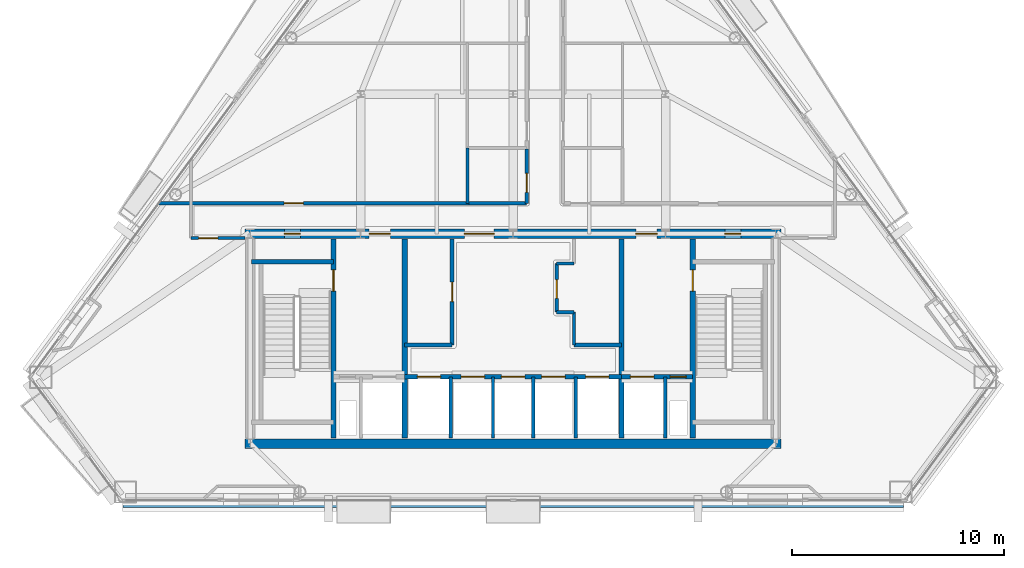
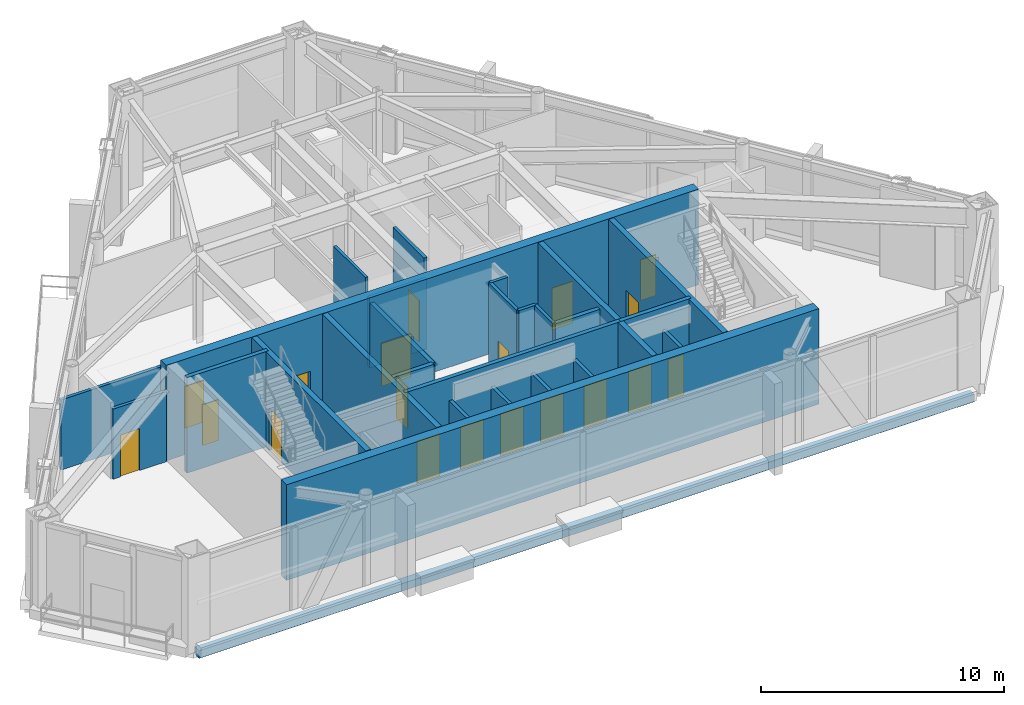
# One storey, part 6 of 10: 27 walls, 19 doors, 19 openings.
"""IFC4 building model written with IfcOpenShell, lengths in metres."""

from ifc_helpers import new_model, si_unit, direction, frame, frame_2d, origin, place, context, subcontext, project, spatial, rectangle, extrude, material, layer, layer_set, type_object, element, fill, save


model = new_model("IFC4")

# Units and contexts
model_context = context("Model", 3, precision=1e-05, world=origin(), true_north=direction((0.0, 1.0)))
body_context = subcontext(model_context, "Body", "Model", "MODEL_VIEW")
ifc_project = project(units=[si_unit("LENGTHUNIT", "METRE"), si_unit("AREAUNIT", "SQUARE_METRE"), si_unit("VOLUMEUNIT", "CUBIC_METRE"), si_unit("PLANEANGLEUNIT", "RADIAN"), si_unit("MASSUNIT", "GRAM", prefix="KILO")], contexts=[model_context])

# Site, building, storey
site_placement = place(None, origin())
site = spatial("IfcSite", under=ifc_project, at=site_placement, CompositionType="ELEMENT")
building_placement = place(site_placement, origin())
building = spatial("IfcBuilding", under=site, at=building_placement, Name="Talgorran Terracotta Tower", CompositionType="ELEMENT")
storey_placement = place(building_placement, frame((0.0, 0.0, 173.699951171875)))
storey = spatial("IfcBuildingStorey", under=building, at=storey_placement, Name="L45", CompositionType="ELEMENT", Elevation=173.699951171875)

# Wall
ifc_material_1 = material(Name="Concrete C50/60", Category="concrete")
ifc_layer_1 = layer(ifc_material_1, 0.199951171875, Name="WT_CORE_200")
ifc_layer_set_1 = layer_set([ifc_layer_1], Name="Concrete C50/60")
wall_type_1 = type_object("IfcWallType", Name="WT_CORE_200", PredefinedType="SOLIDWALL", material=ifc_layer_set_1)
wall_1_placement = place(storey_placement, frame((-12.35009765625, -5.52001953125, 0.0), z_axis=(0.0, 0.0, 1.0), x_axis=(1.0, 0.0, 0.0)))
element("IfcWall", 1, at=wall_1_placement, inside=storey, type_object=wall_type_1, Name="WL-L45-CW-ST1-N", PredefinedType="SOLIDWALL", context=body_context, shape_type="SweptSolid", body=[
    extrude(rectangle(XDim=3.8701171875, YDim=0.199951171875, at=frame_2d((1.93505859375, 0.0))), origin(), (0.0, 0.0, 1.0), 4.800048828125),
])

# Wall, openings, doors
wall_2_placement = place(storey_placement, frame((-5.1201171875, -10.949951171875, 0.0), z_axis=(0.0, 0.0, 1.0), x_axis=(1.0, 0.0, 0.0)))
wall_2 = element("IfcWall", 2, at=wall_2_placement, inside=storey, type_object=wall_type_1, Name="WL-L45-CW-H-SBC", PredefinedType="SOLIDWALL", context=body_context, shape_type="SweptSolid", body=[
    extrude(rectangle(XDim=10.240234375, YDim=0.199951171875, at=frame_2d((5.1201171875, 0.0))), origin(), (0.0, 0.0, 1.0), 4.800048828125),
])
opening_1_placement = place(wall_2_placement, frame((0.60009765625, 0.0, 0.0)))
opening_1 = element("IfcOpeningElement", 3, at=opening_1_placement, cuts=wall_2, Name="Opening LD-OB1", PredefinedType="OPENING", context=body_context, shape_type="SweptSolid", body=[
    extrude(rectangle(XDim=1.10609765625, YDim=2.10409765625, at=frame_2d((0.550048828125, 1.052001953125))), frame((0.0, 0.10986328125, 0.0), z_axis=(0.0, -1.0, 0.0), x_axis=(1.0, 0.0, 0.0)), (0.0, 0.0, 1.0), 0.219970703125),
])
opening_2_placement = place(wall_2_placement, frame((2.669921875, 0.0, 0.0)))
opening_2 = element("IfcOpeningElement", 4, at=opening_2_placement, cuts=wall_2, Name="Opening LD-PLH1", PredefinedType="OPENING", context=body_context, shape_type="SweptSolid", body=[
    extrude(rectangle(XDim=1.10609765625, YDim=2.10409765625, at=frame_2d((0.550048828125, 1.052001953125))), frame((0.0, 0.10986328125, 0.0), z_axis=(0.0, -1.0, 0.0), x_axis=(1.0, 0.0, 0.0)), (0.0, 0.0, 1.0), 0.219970703125),
])
opening_3_placement = place(wall_2_placement, frame((4.570068359375, 0.0, 0.0)))
opening_3 = element("IfcOpeningElement", 5, at=opening_3_placement, cuts=wall_2, Name="Opening LD-PLH2", PredefinedType="OPENING", context=body_context, shape_type="SweptSolid", body=[
    extrude(rectangle(XDim=1.10609765625, YDim=2.10409765625, at=frame_2d((0.550048828125, 1.052001953125))), frame((0.0, 0.10986328125, 0.0), z_axis=(0.0, -1.0, 0.0), x_axis=(1.0, 0.0, 0.0)), (0.0, 0.0, 1.0), 0.219970703125),
])
opening_4_placement = place(wall_2_placement, frame((6.469970703125, 0.0, 0.0)))
opening_4 = element("IfcOpeningElement", 6, at=opening_4_placement, cuts=wall_2, Name="Opening LD-PLH3", PredefinedType="OPENING", context=body_context, shape_type="SweptSolid", body=[
    extrude(rectangle(XDim=1.10609765625, YDim=2.10409765625, at=frame_2d((0.550048828125, 1.052001953125))), frame((0.0, 0.10986328125, 0.0), z_axis=(0.0, -1.0, 0.0), x_axis=(1.0, 0.0, 0.0)), (0.0, 0.0, 1.0), 0.219970703125),
])
opening_5_placement = place(wall_2_placement, frame((8.5400390625, 0.0, 0.0)))
opening_5 = element("IfcOpeningElement", 7, at=opening_5_placement, cuts=wall_2, Name="Opening LD-SVL1", PredefinedType="OPENING", context=body_context, shape_type="SweptSolid", body=[
    extrude(rectangle(XDim=1.10609765625, YDim=2.10409765625, at=frame_2d((0.550048828125, 1.052001953125))), frame((0.0, 0.10986328125, 0.0), z_axis=(0.0, -1.0, 0.0), x_axis=(1.0, 0.0, 0.0)), (0.0, 0.0, 1.0), 0.219970703125),
])
ifc_material_2 = material(Name="Brushed Stainless Steel Grade 304", Category="steel")
door_type_1 = type_object("IfcDoorType", Name="DT_LIFT_LD1100", OperationType="DOUBLE_DOOR_SLIDING", PredefinedType="DOOR", material=ifc_material_2)
door_1_placement = place(opening_1_placement, origin())
door_1 = element("IfcDoor", 8, at=door_1_placement, inside=storey, type_object=door_type_1, Name="L45 Lift Landing Door LD-OB1", OperationType="DOUBLE_DOOR_SLIDING", OverallHeight=2.10009765625, OverallWidth=1.10009765625, PredefinedType="DOOR", context=body_context, shape_type="SweptSolid", body=[
    extrude(rectangle(XDim=1.10009765625, YDim=2.10009765625, at=frame_2d((0.550048828125, 1.050048828125))), frame((0.0, 0.02490234375, 0.0), z_axis=(0.0, -1.0, 0.0), x_axis=(1.0, 0.0, 0.0)), (0.0, 0.0, 1.0), 0.050048828125),
])
fill(opening_1, door_1)
door_2_placement = place(opening_2_placement, origin())
door_2 = element("IfcDoor", 9, at=door_2_placement, inside=storey, type_object=door_type_1, Name="L45 Lift Landing Door LD-PLH1", OperationType="DOUBLE_DOOR_SLIDING", OverallHeight=2.10009765625, OverallWidth=1.10009765625, PredefinedType="DOOR", context=body_context, shape_type="SweptSolid", body=[
    extrude(rectangle(XDim=1.10009765625, YDim=2.10009765625, at=frame_2d((0.550048828125, 1.050048828125))), frame((0.0, 0.02490234375, 0.0), z_axis=(0.0, -1.0, 0.0), x_axis=(1.0, 0.0, 0.0)), (0.0, 0.0, 1.0), 0.050048828125),
])
fill(opening_2, door_2)
door_3_placement = place(opening_3_placement, origin())
door_3 = element("IfcDoor", 10, at=door_3_placement, inside=storey, type_object=door_type_1, Name="L45 Lift Landing Door LD-PLH2", OperationType="DOUBLE_DOOR_SLIDING", OverallHeight=2.10009765625, OverallWidth=1.10009765625, PredefinedType="DOOR", context=body_context, shape_type="SweptSolid", body=[
    extrude(rectangle(XDim=1.10009765625, YDim=2.10009765625, at=frame_2d((0.550048828125, 1.050048828125))), frame((0.0, 0.02490234375, 0.0), z_axis=(0.0, -1.0, 0.0), x_axis=(1.0, 0.0, 0.0)), (0.0, 0.0, 1.0), 0.050048828125),
])
fill(opening_3, door_3)
door_4_placement = place(opening_4_placement, origin())
door_4 = element("IfcDoor", 11, at=door_4_placement, inside=storey, type_object=door_type_1, Name="L45 Lift Landing Door LD-PLH3", OperationType="DOUBLE_DOOR_SLIDING", OverallHeight=2.10009765625, OverallWidth=1.10009765625, PredefinedType="DOOR", context=body_context, shape_type="SweptSolid", body=[
    extrude(rectangle(XDim=1.10009765625, YDim=2.10009765625, at=frame_2d((0.550048828125, 1.050048828125))), frame((0.0, 0.02490234375, 0.0), z_axis=(0.0, -1.0, 0.0), x_axis=(1.0, 0.0, 0.0)), (0.0, 0.0, 1.0), 0.050048828125),
])
fill(opening_4, door_4)
door_5_placement = place(opening_5_placement, origin())
door_5 = element("IfcDoor", 12, at=door_5_placement, inside=storey, type_object=door_type_1, Name="L45 Lift Landing Door LD-SVL1", OperationType="DOUBLE_DOOR_SLIDING", OverallHeight=2.10009765625, OverallWidth=1.10009765625, PredefinedType="DOOR", context=body_context, shape_type="SweptSolid", body=[
    extrude(rectangle(XDim=1.10009765625, YDim=2.10009765625, at=frame_2d((0.550048828125, 1.050048828125))), frame((0.0, 0.02490234375, 0.0), z_axis=(0.0, -1.0, 0.0), x_axis=(1.0, 0.0, 0.0)), (0.0, 0.0, 1.0), 0.050048828125),
])
fill(opening_5, door_5)

wall_3_placement = place(storey_placement, frame((5.1201171875, -10.949951171875, 0.0), z_axis=(0.0, 0.0, 1.0), x_axis=(1.0, 0.0, 0.0)))
wall_3 = element("IfcWall", 13, at=wall_3_placement, inside=storey, type_object=wall_type_1, Name="WL-L45-CW-H-SBE", PredefinedType="SOLIDWALL", context=body_context, shape_type="SweptSolid", body=[
    extrude(rectangle(XDim=3.35986328125, YDim=0.199951171875, at=frame_2d((1.679931640625, 0.0))), origin(), (0.0, 0.0, 1.0), 4.800048828125),
])
opening_6_placement = place(wall_3_placement, frame((0.419921875, 0.0, 0.0)))
opening_6 = element("IfcOpeningElement", 14, at=opening_6_placement, cuts=wall_3, Name="Opening LD-FFL2", PredefinedType="OPENING", context=body_context, shape_type="SweptSolid", body=[
    extrude(rectangle(XDim=1.10609765625, YDim=2.10409765625, at=frame_2d((0.550048828125, 1.052001953125))), frame((0.0, 0.10986328125, 0.0), z_axis=(0.0, -1.0, 0.0), x_axis=(1.0, 0.0, 0.0)), (0.0, 0.0, 1.0), 0.219970703125),
])
opening_7_placement = place(wall_3_placement, frame((2.300048828125, 0.0, 0.0)))
opening_7 = element("IfcOpeningElement", 15, at=opening_7_placement, cuts=wall_3, Name="Opening DR-RSE", PredefinedType="OPENING", context=body_context, shape_type="SweptSolid", body=[
    extrude(rectangle(XDim=0.756, YDim=2.054048828125, at=frame_2d((0.375, 1.027099609375))), frame((0.0, 0.10986328125, 0.0), z_axis=(0.0, -1.0, 0.0), x_axis=(1.0, 0.0, 0.0)), (0.0, 0.0, 1.0), 0.219970703125),
])
door_6_placement = place(opening_6_placement, origin())
door_6 = element("IfcDoor", 16, at=door_6_placement, inside=storey, type_object=door_type_1, Name="L45 Lift Landing Door LD-FFL2", OperationType="DOUBLE_DOOR_SLIDING", OverallHeight=2.10009765625, OverallWidth=1.10009765625, PredefinedType="DOOR", context=body_context, shape_type="SweptSolid", body=[
    extrude(rectangle(XDim=1.10009765625, YDim=2.10009765625, at=frame_2d((0.550048828125, 1.050048828125))), frame((0.0, 0.02490234375, 0.0), z_axis=(0.0, -1.0, 0.0), x_axis=(1.0, 0.0, 0.0)), (0.0, 0.0, 1.0), 0.050048828125),
])
fill(opening_6, door_6)
ifc_material_3 = material(Name="Fire-Rated Pressed Steel", Category="steel")
door_type_2 = type_object("IfcDoorType", Name="DT_RISER_750", OperationType="NOTDEFINED", PredefinedType="DOOR", material=ifc_material_3)
door_7_placement = place(opening_7_placement, origin())
door_7 = element("IfcDoor", 17, at=door_7_placement, inside=storey, type_object=door_type_2, Name="DR-RSE", OperationType="SINGLE_SWING_RIGHT", OverallHeight=2.050048828125, OverallWidth=0.75, PredefinedType="DOOR", context=body_context, shape_type="SweptSolid", body=[
    extrude(rectangle(XDim=0.75, YDim=2.050048828125, at=frame_2d((0.375, 1.02490234375))), frame((0.0, 0.02490234375, 0.0), z_axis=(0.0, -1.0, 0.0), x_axis=(1.0, 0.0, 0.0)), (0.0, 0.0, 1.0), 0.050048828125),
])
fill(opening_7, door_7)

# Wall, opening, door
wall_4_placement = place(storey_placement, frame((-2.8798828125, -9.449951171875, 0.0), z_axis=(0.0, 0.0, 1.0), x_axis=(0.0, 1.0, 0.0)))
wall_4 = element("IfcWall", 18, at=wall_4_placement, inside=storey, type_object=wall_type_1, Name="WL-L45-CW-V-W3", PredefinedType="SOLIDWALL", context=body_context, shape_type="SweptSolid", body=[
    extrude(rectangle(XDim=5.0, YDim=0.199951171875, at=frame_2d((2.5, 0.0))), origin(), (0.0, 0.0, 1.0), 4.550048828125),
])
opening_8_placement = place(wall_4_placement, frame((2.050048828125, 0.0, 0.0)))
opening_8 = element("IfcOpeningElement", 19, at=opening_8_placement, cuts=wall_4, Name="Opening DR-FRPLL-A", PredefinedType="OPENING", context=body_context, shape_type="SweptSolid", body=[
    extrude(rectangle(XDim=0.925921875, YDim=2.10409765625, at=frame_2d((0.4599609375, 1.052001953125))), frame((0.0, 0.10986328125, 0.0), z_axis=(0.0, -1.0, 0.0), x_axis=(1.0, 0.0, 0.0)), (0.0, 0.0, 1.0), 0.219970703125),
])
ifc_material_4 = material(Name="Solid-Core Painted Timber", Category="wood")
door_type_3 = type_object("IfcDoorType", Name="DT_INT_920", OperationType="NOTDEFINED", PredefinedType="DOOR", material=ifc_material_4)
door_8_placement = place(opening_8_placement, origin())
door_8 = element("IfcDoor", 20, at=door_8_placement, inside=storey, type_object=door_type_3, Name="DR-FRPLL-A", OperationType="SINGLE_SWING_LEFT", OverallHeight=2.10009765625, OverallWidth=0.919921875, PredefinedType="DOOR", context=body_context, shape_type="SweptSolid", body=[
    extrude(rectangle(XDim=0.919921875, YDim=2.10009765625, at=frame_2d((0.4599609375, 1.050048828125))), frame((0.0, 0.02490234375, 0.0), z_axis=(0.0, -1.0, 0.0), x_axis=(1.0, 0.0, 0.0)), (0.0, 0.0, 1.0), 0.050048828125),
])
fill(opening_8, door_8)

# Walls
for number, where, z_axis, x_axis, name in (
    (21, (-5.1201171875, -9.449951171875, 0.0), (0.0, 0.0, 1.0), (1.0, 0.0, 0.0), "WL-L45-CW-H-W4"),
    (22, (2.8798828125, -9.449951171875, 0.0), (0.0, 0.0, 1.0), (1.0, 0.0, 0.0), "WL-L45-CW-H-E4"),
):
    element("IfcWall", number, at=place(storey_placement, frame(where, z_axis=z_axis, x_axis=x_axis)), inside=storey, type_object=wall_type_1, Name=name, PredefinedType="SOLIDWALL", context=body_context, shape_type="SweptSolid", body=[
        extrude(rectangle(XDim=2.240234375, YDim=0.199951171875, at=frame_2d((1.1201171875, 0.0))), origin(), (0.0, 0.0, 1.0), 4.550048828125),
    ])

# Wall, opening, door
ifc_layer_2 = layer(ifc_material_1, 0.25, Name="WT_CORE_250")
ifc_layer_set_2 = layer_set([ifc_layer_2], Name="Concrete C50/60")
wall_type_2 = type_object("IfcWallType", Name="WT_CORE_250", PredefinedType="SHEAR", material=ifc_layer_set_2)
wall_5_placement = place(storey_placement, frame((-8.47998046875, -13.85009765625, 0.0), z_axis=(0.0, 0.0, 1.0), x_axis=(0.0, 1.0, 0.0)))
wall_5 = element("IfcWall", 23, at=wall_5_placement, inside=storey, type_object=wall_type_2, Name="WL-L45-CW-V-W1", PredefinedType="SHEAR", context=body_context, shape_type="SweptSolid", body=[
    extrude(rectangle(XDim=9.400146484375, YDim=0.25, at=frame_2d((4.7001953125, 0.0))), origin(), (0.0, 0.0, 1.0), 4.800048828125),
])
opening_9_placement = place(wall_5_placement, frame((6.949951171875, 0.0, 0.0)))
opening_9 = element("IfcOpeningElement", 24, at=opening_9_placement, cuts=wall_5, Name="Opening DR-ST01", PredefinedType="OPENING", context=body_context, shape_type="SweptSolid", body=[
    extrude(rectangle(XDim=1.006, YDim=2.10409765625, at=frame_2d((0.5, 1.052001953125))), frame((0.0, 0.135009765625, 0.0), z_axis=(0.0, -1.0, 0.0), x_axis=(1.0, 0.0, 0.0)), (0.0, 0.0, 1.0), 0.27001953125),
])
door_type_4 = type_object("IfcDoorType", Name="DT_FIRE_1000", OperationType="NOTDEFINED", PredefinedType="DOOR", material=ifc_material_3)
door_9_placement = place(opening_9_placement, origin())
door_9 = element("IfcDoor", 25, at=door_9_placement, inside=storey, type_object=door_type_4, Name="DR-ST01", OperationType="SINGLE_SWING_LEFT", OverallHeight=2.10009765625, OverallWidth=1.0, PredefinedType="DOOR", context=body_context, shape_type="SweptSolid", body=[
    extrude(rectangle(XDim=1.0, YDim=2.10009765625, at=frame_2d((0.5, 1.050048828125))), frame((0.0, 0.02490234375, 0.0), z_axis=(0.0, -1.0, 0.0), x_axis=(1.0, 0.0, 0.0)), (0.0, 0.0, 1.0), 0.050048828125),
])
fill(opening_9, door_9)

wall_6_placement = place(storey_placement, frame((8.47998046875, -13.85009765625, 0.0), z_axis=(0.0, 0.0, 1.0), x_axis=(0.0, 1.0, 0.0)))
wall_6 = element("IfcWall", 26, at=wall_6_placement, inside=storey, type_object=wall_type_2, Name="WL-L45-CW-V-E1", PredefinedType="SHEAR", context=body_context, shape_type="SweptSolid", body=[
    extrude(rectangle(XDim=9.400146484375, YDim=0.25, at=frame_2d((4.7001953125, 0.0))), origin(), (0.0, 0.0, 1.0), 4.800048828125),
])
opening_10_placement = place(wall_6_placement, frame((6.949951171875, 0.0, 0.0)))
opening_10 = element("IfcOpeningElement", 27, at=opening_10_placement, cuts=wall_6, Name="Opening DR-ST02", PredefinedType="OPENING", context=body_context, shape_type="SweptSolid", body=[
    extrude(rectangle(XDim=1.006, YDim=2.10409765625, at=frame_2d((0.5, 1.052001953125))), frame((0.0, 0.135009765625, 0.0), z_axis=(0.0, -1.0, 0.0), x_axis=(1.0, 0.0, 0.0)), (0.0, 0.0, 1.0), 0.27001953125),
])
door_10_placement = place(opening_10_placement, origin())
door_10 = element("IfcDoor", 28, at=door_10_placement, inside=storey, type_object=door_type_4, Name="DR-ST02", OperationType="SINGLE_SWING_RIGHT", OverallHeight=2.10009765625, OverallWidth=1.0, PredefinedType="DOOR", context=body_context, shape_type="SweptSolid", body=[
    extrude(rectangle(XDim=1.0, YDim=2.10009765625, at=frame_2d((0.5, 1.050048828125))), frame((0.0, 0.02490234375, 0.0), z_axis=(0.0, -1.0, 0.0), x_axis=(1.0, 0.0, 0.0)), (0.0, 0.0, 1.0), 0.050048828125),
])
fill(opening_10, door_10)

# Walls
for number, where, z_axis, x_axis, name in (
    (29, (-5.1201171875, -13.85009765625, 0.0), (0.0, 0.0, 1.0), (0.0, 1.0, 0.0), "WL-L45-CW-V-W2"),
    (30, (5.1201171875, -13.85009765625, 0.0), (0.0, 0.0, 1.0), (0.0, 1.0, 0.0), "WL-L45-CW-V-E2"),
):
    element("IfcWall", number, at=place(storey_placement, frame(where, z_axis=z_axis, x_axis=x_axis)), inside=storey, type_object=wall_type_2, Name=name, PredefinedType="SHEAR", context=body_context, shape_type="SweptSolid", body=[
        extrude(rectangle(XDim=9.400146484375, YDim=0.25, at=frame_2d((4.7001953125, 0.0))), origin(), (0.0, 0.0, 1.0), 4.800048828125),
    ])
ifc_material_5 = material(Name="Concrete C65/80", Category="concrete")
ifc_layer_3 = layer(ifc_material_5, 0.449951171875, Name="WT_CORE_EXT")
ifc_layer_set_3 = layer_set([ifc_layer_3], Name="Concrete C65/80")
wall_type_3 = type_object("IfcWallType", Name="WT_CORE_EXT", PredefinedType="SHEAR", material=ifc_layer_set_3)
wall_7_placement = place(storey_placement, frame((-12.64990234375, -14.10009765625, 0.0), z_axis=(0.0, 0.0, 1.0), x_axis=(1.0, 0.0, 0.0)))
element("IfcWall", 31, at=wall_7_placement, inside=storey, type_object=wall_type_3, Name="WL-L45-CW-OUT-S", PredefinedType="SHEAR", context=body_context, shape_type="SweptSolid", body=[
    extrude(rectangle(XDim=25.2998046875, YDim=0.449951171875, at=frame_2d((12.64990234375, 0.0))), origin(), (0.0, 0.0, 1.0), 4.800048828125),
])

# Wall, openings, doors
wall_8_placement = place(storey_placement, frame((-12.64990234375, -4.199951171875, 0.0), z_axis=(0.0, 0.0, 1.0), x_axis=(1.0, 0.0, 0.0)))
wall_8 = element("IfcWall", 32, at=wall_8_placement, inside=storey, type_object=wall_type_3, Name="WL-L45-CW-OUT-N", PredefinedType="SHEAR", context=body_context, shape_type="SweptSolid", body=[
    extrude(rectangle(XDim=25.2998046875, YDim=0.449951171875, at=frame_2d((12.64990234375, 0.0))), origin(), (0.0, 0.0, 1.0), 4.800048828125),
])
opening_11_placement = place(wall_8_placement, frame((1.85009765625, 0.0, 0.0)))
opening_11 = element("IfcOpeningElement", 33, at=opening_11_placement, cuts=wall_8, Name="Opening DR-CSN1", PredefinedType="OPENING", context=body_context, shape_type="SweptSolid", body=[
    extrude(rectangle(XDim=0.756, YDim=2.054048828125, at=frame_2d((0.375, 1.027099609375))), frame((0.0, 0.23486328125, 0.0), z_axis=(0.0, -1.0, 0.0), x_axis=(1.0, 0.0, 0.0)), (0.0, 0.0, 1.0), 0.469970703125),
])
opening_12_placement = place(wall_8_placement, frame((22.64990234375, 0.0, 0.0)))
opening_12 = element("IfcOpeningElement", 34, at=opening_12_placement, cuts=wall_8, Name="Opening DR-CSN2", PredefinedType="OPENING", context=body_context, shape_type="SweptSolid", body=[
    extrude(rectangle(XDim=0.756, YDim=2.054048828125, at=frame_2d((0.375, 1.027099609375))), frame((0.0, 0.23486328125, 0.0), z_axis=(0.0, -1.0, 0.0), x_axis=(1.0, 0.0, 0.0)), (0.0, 0.0, 1.0), 0.469970703125),
])
opening_13_placement = place(wall_8_placement, frame((5.85009765625, 0.0, 0.0)))
opening_13 = element("IfcOpeningElement", 35, at=opening_13_placement, cuts=wall_8, Name="Opening DR-FFLW-N", PredefinedType="OPENING", context=body_context, shape_type="SweptSolid", body=[
    extrude(rectangle(XDim=1.006, YDim=2.10409765625, at=frame_2d((0.5, 1.052001953125))), frame((0.0, 0.23486328125, 0.0), z_axis=(0.0, -1.0, 0.0), x_axis=(1.0, 0.0, 0.0)), (0.0, 0.0, 1.0), 0.469970703125),
])
opening_14_placement = place(wall_8_placement, frame((10.35009765625, 0.0, 0.0)))
opening_14 = element("IfcOpeningElement", 36, at=opening_14_placement, cuts=wall_8, Name="Opening DR-PLL-N", PredefinedType="OPENING", context=body_context, shape_type="SweptSolid", body=[
    extrude(rectangle(XDim=1.40590234375, YDim=2.15390234375, at=frame_2d((0.699951171875, 1.076904296875))), frame((0.0, 0.23486328125, 0.0), z_axis=(0.0, -1.0, 0.0), x_axis=(1.0, 0.0, 0.0)), (0.0, 0.0, 1.0), 0.469970703125),
])
opening_15_placement = place(wall_8_placement, frame((18.449951171875, 0.0, 0.0)))
opening_15 = element("IfcOpeningElement", 37, at=opening_15_placement, cuts=wall_8, Name="Opening DR-FFLE-N", PredefinedType="OPENING", context=body_context, shape_type="SweptSolid", body=[
    extrude(rectangle(XDim=1.006, YDim=2.10409765625, at=frame_2d((0.5, 1.052001953125))), frame((0.0, 0.23486328125, 0.0), z_axis=(0.0, -1.0, 0.0), x_axis=(1.0, 0.0, 0.0)), (0.0, 0.0, 1.0), 0.469970703125),
])
ifc_material_6 = material(Name="Acoustic Glazed Timber", Category="wood")
door_type_5 = type_object("IfcDoorType", Name="DT_DOUBLE_1400", OperationType="DOUBLE_DOOR_SINGLE_SWING", PredefinedType="DOOR", material=ifc_material_6)
door_11_placement = place(opening_14_placement, origin())
door_11 = element("IfcDoor", 38, at=door_11_placement, inside=storey, type_object=door_type_5, Name="DR-PLL-N", OperationType="DOUBLE_DOOR_SINGLE_SWING", OverallHeight=2.14990234375, OverallWidth=1.39990234375, PredefinedType="DOOR", context=body_context, shape_type="SweptSolid", body=[
    extrude(rectangle(XDim=1.39990234375, YDim=2.14990234375, at=frame_2d((0.699951171875, 1.074951171875))), frame((0.0, 0.02490234375, 0.0), z_axis=(0.0, -1.0, 0.0), x_axis=(1.0, 0.0, 0.0)), (0.0, 0.0, 1.0), 0.050048828125),
])
fill(opening_14, door_11)
door_12_placement = place(opening_13_placement, origin())
door_12 = element("IfcDoor", 39, at=door_12_placement, inside=storey, type_object=door_type_4, Name="DR-FFLW-N", OperationType="SINGLE_SWING_LEFT", OverallHeight=2.10009765625, OverallWidth=1.0, PredefinedType="DOOR", context=body_context, shape_type="SweptSolid", body=[
    extrude(rectangle(XDim=1.0, YDim=2.10009765625, at=frame_2d((0.5, 1.050048828125))), frame((0.0, 0.02490234375, 0.0), z_axis=(0.0, -1.0, 0.0), x_axis=(1.0, 0.0, 0.0)), (0.0, 0.0, 1.0), 0.050048828125),
])
fill(opening_13, door_12)
door_13_placement = place(opening_15_placement, origin())
door_13 = element("IfcDoor", 40, at=door_13_placement, inside=storey, type_object=door_type_4, Name="DR-FFLE-N", OperationType="SINGLE_SWING_RIGHT", OverallHeight=2.10009765625, OverallWidth=1.0, PredefinedType="DOOR", context=body_context, shape_type="SweptSolid", body=[
    extrude(rectangle(XDim=1.0, YDim=2.10009765625, at=frame_2d((0.5, 1.050048828125))), frame((0.0, 0.02490234375, 0.0), z_axis=(0.0, -1.0, 0.0), x_axis=(1.0, 0.0, 0.0)), (0.0, 0.0, 1.0), 0.050048828125),
])
fill(opening_15, door_13)
door_14_placement = place(opening_11_placement, origin())
door_14 = element("IfcDoor", 41, at=door_14_placement, inside=storey, type_object=door_type_2, Name="DR-CSN1", OperationType="SINGLE_SWING_LEFT", OverallHeight=2.050048828125, OverallWidth=0.75, PredefinedType="DOOR", context=body_context, shape_type="SweptSolid", body=[
    extrude(rectangle(XDim=0.75, YDim=2.050048828125, at=frame_2d((0.375, 1.02490234375))), frame((0.0, 0.02490234375, 0.0), z_axis=(0.0, -1.0, 0.0), x_axis=(1.0, 0.0, 0.0)), (0.0, 0.0, 1.0), 0.050048828125),
])
fill(opening_11, door_14)
door_15_placement = place(opening_12_placement, origin())
door_15 = element("IfcDoor", 42, at=door_15_placement, inside=storey, type_object=door_type_2, Name="DR-CSN2", OperationType="SINGLE_SWING_RIGHT", OverallHeight=2.050048828125, OverallWidth=0.75, PredefinedType="DOOR", context=body_context, shape_type="SweptSolid", body=[
    extrude(rectangle(XDim=0.75, YDim=2.050048828125, at=frame_2d((0.375, 1.02490234375))), frame((0.0, 0.02490234375, 0.0), z_axis=(0.0, -1.0, 0.0), x_axis=(1.0, 0.0, 0.0)), (0.0, 0.0, 1.0), 0.050048828125),
])
fill(opening_12, door_15)

# Walls
ifc_material_7 = material(Name="Fire-Rated Steel Stud Plasterboard", Category="steel")
ifc_layer_4 = layer(ifc_material_7, 0.14990234375, Name="WT_FIRE_150")
ifc_layer_set_4 = layer_set([ifc_layer_4], Name="Fire-Rated Steel Stud Plasterboard")
wall_type_4 = type_object("IfcWallType", Name="WT_FIRE_150", PredefinedType="PARTITIONING", material=ifc_layer_set_4)
wall_9_placement = place(storey_placement, frame((2.8798828125, -9.449951171875, 0.0), z_axis=(0.0, 0.0, 1.0), x_axis=(0.0, 1.0, 0.0)))
element("IfcWall", 43, at=wall_9_placement, inside=storey, type_object=wall_type_4, Name="WL-L45-CW-V-E3A", PredefinedType="PARTITIONING", context=body_context, shape_type="SweptSolid", body=[
    extrude(rectangle(XDim=1.550048828125, YDim=0.14990234375, at=frame_2d((0.77490234375, 0.0))), origin(), (0.0, 0.0, 1.0), 4.550048828125),
])
wall_10_placement = place(storey_placement, frame((2.06005859375, -7.89990234375, 0.0), z_axis=(0.0, 0.0, 1.0), x_axis=(1.0, 0.0, 0.0)))
element("IfcWall", 44, at=wall_10_placement, inside=storey, type_object=wall_type_4, Name="WL-L45-CW-H-E3B", PredefinedType="PARTITIONING", context=body_context, shape_type="SweptSolid", body=[
    extrude(rectangle(XDim=0.81982421875, YDim=0.14990234375, at=frame_2d((0.409912109375, 0.0))), origin(), (0.0, 0.0, 1.0), 4.550048828125),
])

# Wall, opening, door
wall_11_placement = place(storey_placement, frame((2.06005859375, -7.89990234375, 0.0), z_axis=(0.0, 0.0, 1.0), x_axis=(0.0, 1.0, 0.0)))
wall_11 = element("IfcWall", 45, at=wall_11_placement, inside=storey, type_object=wall_type_4, Name="WL-L45-CW-V-E3C", PredefinedType="PARTITIONING", context=body_context, shape_type="SweptSolid", body=[
    extrude(rectangle(XDim=2.2998046875, YDim=0.14990234375, at=frame_2d((1.14990234375, 0.0))), origin(), (0.0, 0.0, 1.0), 4.550048828125),
])
opening_16_placement = place(wall_11_placement, frame((0.64990234375, 0.0, 0.0)))
opening_16 = element("IfcOpeningElement", 46, at=opening_16_placement, cuts=wall_11, Name="Opening DR-FRPLM-B", PredefinedType="OPENING", context=body_context, shape_type="SweptSolid", body=[
    extrude(rectangle(XDim=0.8858828125, YDim=2.10409765625, at=frame_2d((0.43994140625, 1.052001953125))), frame((0.0, 0.0849609375, 0.0), z_axis=(0.0, -1.0, 0.0), x_axis=(1.0, 0.0, 0.0)), (0.0, 0.0, 1.0), 0.169921875),
])
door_type_6 = type_object("IfcDoorType", Name="DT_INT_880", OperationType="NOTDEFINED", PredefinedType="DOOR", material=ifc_material_4)
door_16_placement = place(opening_16_placement, origin())
door_16 = element("IfcDoor", 47, at=door_16_placement, inside=storey, type_object=door_type_6, Name="DR-FRPLM-B", OperationType="SINGLE_SWING_RIGHT", OverallHeight=2.10009765625, OverallWidth=0.8798828125, PredefinedType="DOOR", context=body_context, shape_type="SweptSolid", body=[
    extrude(rectangle(XDim=0.8798828125, YDim=2.10009765625, at=frame_2d((0.43994140625, 1.050048828125))), frame((0.0, 0.02490234375, 0.0), z_axis=(0.0, -1.0, 0.0), x_axis=(1.0, 0.0, 0.0)), (0.0, 0.0, 1.0), 0.050048828125),
])
fill(opening_16, door_16)

# Wall
wall_12_placement = place(storey_placement, frame((2.06005859375, -5.60009765625, 0.0), z_axis=(0.0, 0.0, 1.0), x_axis=(1.0, 0.0, 0.0)))
element("IfcWall", 48, at=wall_12_placement, inside=storey, type_object=wall_type_4, Name="WL-L45-CW-H-E3D", PredefinedType="PARTITIONING", context=body_context, shape_type="SweptSolid", body=[
    extrude(rectangle(XDim=0.81982421875, YDim=0.14990234375, at=frame_2d((0.409912109375, 0.0))), origin(), (0.0, 0.0, 1.0), 4.550048828125),
])

# Wall, opening, door
wall_13_placement = place(storey_placement, frame((-16.736572265625, -2.760009765625, 0.0), z_axis=(0.0, 0.0, 1.0), x_axis=(1.0, 0.0, 0.0)))
wall_13 = element("IfcWall", 49, at=wall_13_placement, inside=storey, type_object=wall_type_4, Name="WL-L45-W-L45-R09", PredefinedType="PARTITIONING", context=body_context, shape_type="SweptSolid", body=[
    extrude(rectangle(XDim=14.656494140625, YDim=0.14990234375, at=frame_2d((7.328125, 0.0))), origin(), (0.0, 0.0, 1.0), 3.525146484375),
])
opening_17_placement = place(wall_13_placement, frame((5.929443359375, 0.0, 0.0)))
opening_17 = element("IfcOpeningElement", 50, at=opening_17_placement, cuts=wall_13, Name="Opening DR-L45-R05", PredefinedType="OPENING", context=body_context, shape_type="SweptSolid", body=[
    extrude(rectangle(XDim=0.90590234375, YDim=2.10409765625, at=frame_2d((0.449951171875, 1.052001953125))), frame((0.0, 0.0849609375, 0.0), z_axis=(0.0, -1.0, 0.0), x_axis=(1.0, 0.0, 0.0)), (0.0, 0.0, 1.0), 0.169921875),
])
ifc_material_8 = material(Name="Fire-Rated Timber Core", Category="wood")
door_type_7 = type_object("IfcDoorType", Name="DT_FIRE_900", OperationType="NOTDEFINED", PredefinedType="DOOR", material=ifc_material_8)
door_17_placement = place(opening_17_placement, origin())
door_17 = element("IfcDoor", 51, at=door_17_placement, inside=storey, type_object=door_type_7, Name="DR-L45-R05", OperationType="SINGLE_SWING_LEFT", OverallHeight=2.10009765625, OverallWidth=0.89990234375, PredefinedType="DOOR", context=body_context, shape_type="SweptSolid", body=[
    extrude(rectangle(XDim=0.89990234375, YDim=2.10009765625, at=frame_2d((0.449951171875, 1.050048828125))), frame((0.0, 0.02490234375, 0.0), z_axis=(0.0, -1.0, 0.0), x_axis=(1.0, 0.0, 0.0)), (0.0, 0.0, 1.0), 0.050048828125),
])
fill(opening_17, door_17)

# Wall
wall_14_placement = place(storey_placement, frame((-2.077880859375, -2.760009765625, 0.0), z_axis=(0.0, 0.0, 1.0), x_axis=(1.0, 0.0, 0.0)))
element("IfcWall", 52, at=wall_14_placement, inside=storey, type_object=wall_type_4, Name="WL-L45-W-L45-R07", PredefinedType="PARTITIONING", context=body_context, shape_type="SweptSolid", body=[
    extrude(rectangle(XDim=2.7177734375, YDim=0.14990234375, at=frame_2d((1.35888671875, 0.0))), origin(), (0.0, 0.0, 1.0), 3.525146484375),
])

# Wall, opening, door
wall_15_placement = place(storey_placement, frame((-15.199951171875, -4.39990234375, 0.0), z_axis=(0.0, 0.0, 1.0), x_axis=(1.0, 0.0, 0.0)))
wall_15 = element("IfcWall", 53, at=wall_15_placement, inside=storey, type_object=wall_type_4, Name="WL-L45-W-L45-R02", PredefinedType="PARTITIONING", context=body_context, shape_type="SweptSolid", body=[
    extrude(rectangle(XDim=2.5478515625, YDim=0.14990234375, at=frame_2d((1.27392578125, 0.0))), origin(), (0.0, 0.0, 1.0), 3.525146484375),
])
opening_18_placement = place(wall_15_placement, frame((0.360107421875, 0.0, 0.0)))
opening_18 = element("IfcOpeningElement", 54, at=opening_18_placement, cuts=wall_15, Name="Opening DR-L45-R01", PredefinedType="OPENING", context=body_context, shape_type="SweptSolid", body=[
    extrude(rectangle(XDim=0.90590234375, YDim=2.10409765625, at=frame_2d((0.449951171875, 1.052001953125))), frame((0.0, 0.0849609375, 0.0), z_axis=(0.0, -1.0, 0.0), x_axis=(1.0, 0.0, 0.0)), (0.0, 0.0, 1.0), 0.169921875),
])
door_18_placement = place(opening_18_placement, origin())
door_18 = element("IfcDoor", 55, at=door_18_placement, inside=storey, type_object=door_type_7, Name="DR-L45-R01", OperationType="SINGLE_SWING_LEFT", OverallHeight=2.10009765625, OverallWidth=0.89990234375, PredefinedType="DOOR", context=body_context, shape_type="SweptSolid", body=[
    extrude(rectangle(XDim=0.89990234375, YDim=2.10009765625, at=frame_2d((0.449951171875, 1.050048828125))), frame((0.0, 0.02490234375, 0.0), z_axis=(0.0, -1.0, 0.0), x_axis=(1.0, 0.0, 0.0)), (0.0, 0.0, 1.0), 0.050048828125),
])
fill(opening_18, door_18)

wall_16_placement = place(storey_placement, frame((0.639892578125, -2.760009765625, 0.0), z_axis=(0.0, 0.0, 1.0), x_axis=(0.0, 1.0, 0.0)))
wall_16 = element("IfcWall", 56, at=wall_16_placement, inside=storey, type_object=wall_type_4, Name="WL-L45-W-L45-R08", PredefinedType="PARTITIONING", context=body_context, shape_type="SweptSolid", body=[
    extrude(rectangle(XDim=2.55810546875, YDim=0.14990234375, at=frame_2d((1.279052734375, 0.0))), origin(), (0.0, 0.0, 1.0), 4.550048828125),
])
opening_19_placement = place(wall_16_placement, frame((0.514892578125, 0.0, 0.0)))
opening_19 = element("IfcOpeningElement", 57, at=opening_19_placement, cuts=wall_16, Name="Opening DR-L45-R04", PredefinedType="OPENING", context=body_context, shape_type="SweptSolid", body=[
    extrude(rectangle(XDim=0.90590234375, YDim=2.10409765625, at=frame_2d((0.449951171875, 1.052001953125))), frame((0.0, 0.0849609375, 0.0), z_axis=(0.0, -1.0, 0.0), x_axis=(1.0, 0.0, 0.0)), (0.0, 0.0, 1.0), 0.169921875),
])
door_19_placement = place(opening_19_placement, origin())
door_19 = element("IfcDoor", 58, at=door_19_placement, inside=storey, type_object=door_type_7, Name="DR-L45-R04", OperationType="SINGLE_SWING_RIGHT", OverallHeight=2.10009765625, OverallWidth=0.89990234375, PredefinedType="DOOR", context=body_context, shape_type="SweptSolid", body=[
    extrude(rectangle(XDim=0.89990234375, YDim=2.10009765625, at=frame_2d((0.449951171875, 1.050048828125))), frame((0.0, 0.02490234375, 0.0), z_axis=(0.0, -1.0, 0.0), x_axis=(1.0, 0.0, 0.0)), (0.0, 0.0, 1.0), 0.050048828125),
])
fill(opening_19, door_19)

# Walls
ifc_material_9 = material(Name="Concrete C40/50", Category="concrete")
ifc_layer_5 = layer(ifc_material_9, 0.219970703125, Name="WT_PARAPET_RC")
ifc_layer_set_5 = layer_set([ifc_layer_5], Name="Concrete C40/50")
wall_type_5 = type_object("IfcWallType", Name="WT_PARAPET_RC", PredefinedType="PARAPET", material=ifc_layer_set_5)
wall_17_placement = place(storey_placement, frame((-18.422607421875, -16.945556640625, -0.199951171875), z_axis=(0.0, 0.0, 1.0), x_axis=(1.0, 0.0, 0.0)))
element("IfcWall", 59, at=wall_17_placement, inside=storey, type_object=wall_type_5, Name="L45 Striped Portal Precast Cornice F1", PredefinedType="PARAPET", context=body_context, shape_type="SweptSolid", body=[
    extrude(rectangle(XDim=36.84521484375, YDim=0.360107421875, at=frame_2d((18.422607421875, 0.0))), origin(), (0.0, 0.0, 1.0), 0.3798828125),
])
ifc_material_10 = material(Name="Moisture-Resistant Stud Wall")
ifc_layer_6 = layer(ifc_material_10, 0.135009765625, Name="WT_PART_135")
ifc_layer_set_6 = layer_set([ifc_layer_6], Name="Moisture-Resistant Stud Wall")
wall_type_6 = type_object("IfcWallType", Name="WT_PART_135", PredefinedType="PARTITIONING", material=ifc_layer_set_6)
wall_18_placement = place(storey_placement, frame((-2.159912109375, -2.760009765625, 0.0), z_axis=(0.0, 0.0, 1.0), x_axis=(0.0, 1.0, 0.0)))
element("IfcWall", 60, at=wall_18_placement, inside=storey, type_object=wall_type_6, Name="WL-L45-W-L45-R20", PredefinedType="PARTITIONING", context=body_context, shape_type="SweptSolid", body=[
    extrude(rectangle(XDim=2.6201171875, YDim=0.135009765625, at=frame_2d((1.31005859375, 0.0))), origin(), (0.0, 0.0, 1.0), 4.550048828125),
])
ifc_material_11 = material(Name="Fire-Rated Shaftwall")
ifc_layer_7 = layer(ifc_material_11, 0.159912109375, Name="WT_PART_150")
ifc_layer_set_7 = layer_set([ifc_layer_7], Name="Fire-Rated Shaftwall")
wall_type_7 = type_object("IfcWallType", Name="WT_PART_150", PredefinedType="PARTITIONING", material=ifc_layer_set_7)
for number, where, z_axis, x_axis, name in (
    (61, (7.179931640625, -13.85009765625, 0.0), (0.0, 0.0, 1.0), (0.0, 1.0, 0.0), "WL-L45-CW-RSE"),
    (62, (-2.949951171875, -13.85009765625, 0.0), (0.0, 0.0, 1.0), (0.0, 1.0, 0.0), "WL-L45-CW-OB-E"),
    (63, (2.949951171875, -13.85009765625, 0.0), (0.0, 0.0, 1.0), (0.0, 1.0, 0.0), "WL-L45-CW-SV-W"),
    (64, (-0.949951171875, -13.85009765625, 0.0), (0.0, 0.0, 1.0), (0.0, 1.0, 0.0), "WL-L45-CW-PLH-D1"),
    (65, (0.949951171875, -13.85009765625, 0.0), (0.0, 0.0, 1.0), (0.0, 1.0, 0.0), "WL-L45-CW-PLH-D2"),
):
    element("IfcWall", number, at=place(storey_placement, frame(where, z_axis=z_axis, x_axis=x_axis)), inside=storey, type_object=wall_type_7, Name=name, PredefinedType="PARTITIONING", context=body_context, shape_type="SweptSolid", body=[
        extrude(rectangle(XDim=2.900146484375, YDim=0.159912109375, at=frame_2d((1.4501953125, 0.0))), origin(), (0.0, 0.0, 1.0), 3.675048828125),
    ])

save(model, "model.ifc")
